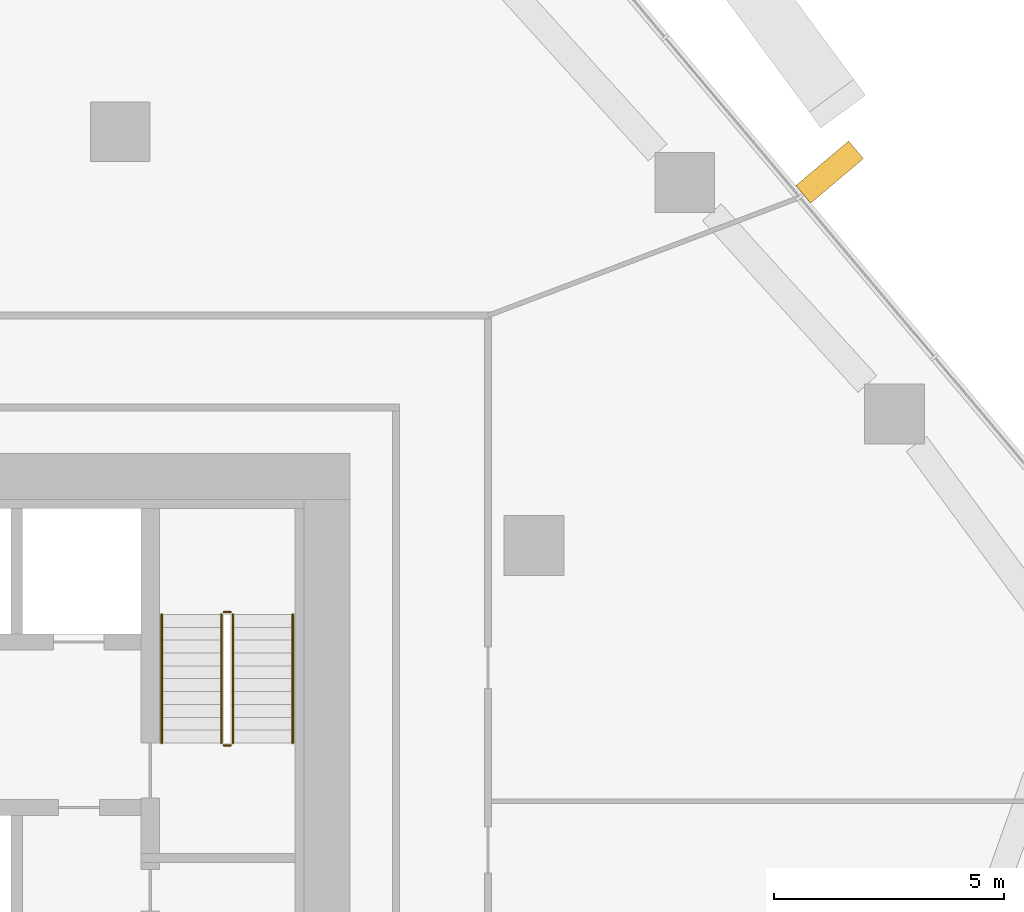
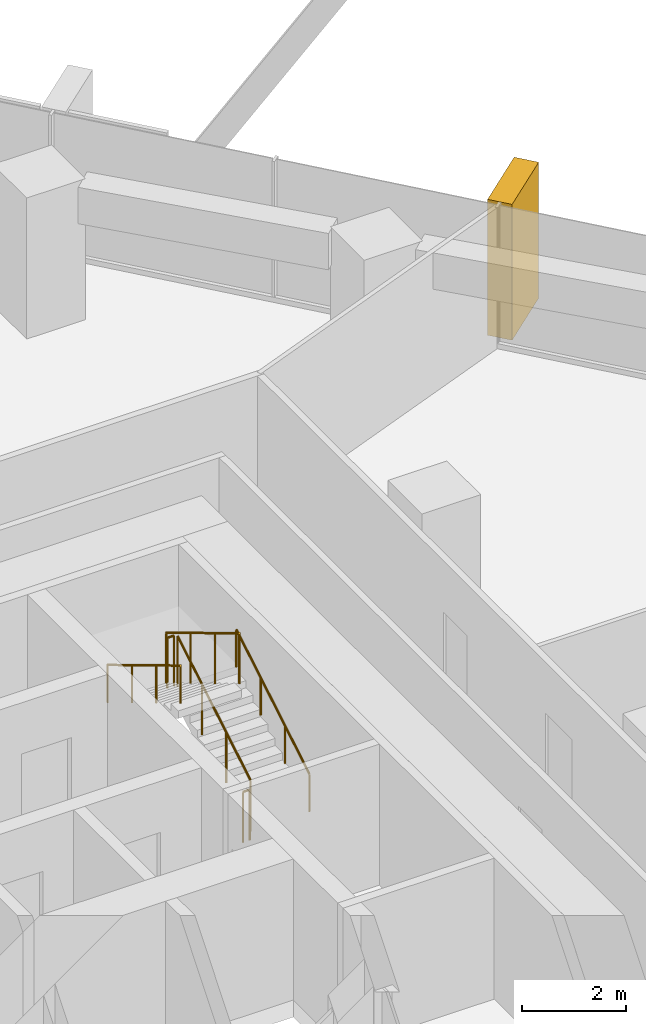
# One storey, part 23 of 24: 6 railings, 1 covering, 1 element without a shape of its own.
"""IFC4 building model written with IfcOpenShell, lengths in metres."""

from ifc_helpers import new_model, si_unit, direction, frame, origin, origin_2d, place, context, subcontext, project, spatial, rectangle, circle, extrude, material, layer, layer_set, material_profile, profile_set, type_object, element, aggregate, save


model = new_model("IFC4")

# Units and contexts
model_context = context("Model", 3, precision=1e-05, world=origin(), true_north=direction((0.0, 1.0)))
body_context = subcontext(model_context, "Body", "Model", "MODEL_VIEW")
ifc_project = project(units=[si_unit("LENGTHUNIT", "METRE"), si_unit("AREAUNIT", "SQUARE_METRE"), si_unit("VOLUMEUNIT", "CUBIC_METRE"), si_unit("PLANEANGLEUNIT", "RADIAN"), si_unit("MASSUNIT", "GRAM", prefix="KILO")], contexts=[model_context])

# Site, building, storey
site_placement = place(None, origin())
site = spatial("IfcSite", under=ifc_project, at=site_placement, CompositionType="ELEMENT")
building_placement = place(site_placement, origin())
building = spatial("IfcBuilding", under=site, at=building_placement, Name="Dongbaek Canopy Tower", CompositionType="ELEMENT")
storey_placement = place(building_placement, frame((0.0, 0.0, 128.5)))
storey = spatial("IfcBuildingStorey", under=building, at=storey_placement, Name="L28", CompositionType="ELEMENT", Elevation=128.5)

# Curtain wall, covering
ifc_material_1 = material(Name="Aluminium 6063-T6 pale anodised", Category="aluminium")
ifc_layer = layer(ifc_material_1, 0.199951171875)
ifc_layer_set = layer_set([ifc_layer], Name="CW-1 unitised tower curtain wall")
curtain_wall_type = type_object("IfcCurtainWallType", Name="CW-1 unitised tower curtain wall", PredefinedType="NOTDEFINED", material=ifc_layer_set)
curtain_wall_placement = place(storey_placement, origin())
curtain_wall = element("IfcCurtainWall", 1, at=curtain_wall_placement, inside=storey, type_object=curtain_wall_type, Name="CW-1 curtain wall F0.1", PredefinedType="NOTDEFINED")
ifc_material_2 = material(Name="Aluminium 6063-T6 pale metal fin", Category="aluminium")
ifc_material_profile = material_profile(ifc_material_2, rectangle(XDim=1.5, YDim=0.5, at=origin_2d()), Name="Fin FN1 500 x 1500 pale metal")
ifc_profile_set = profile_set([ifc_material_profile], Name="Aluminium 6063-T6 pale metal fin")
covering_type = type_object("IfcCoveringType", Name="Fin FN1 500 x 1500 pale metal", PredefinedType="CLADDING", material=ifc_profile_set)
covering_placement = place(storey_placement, frame((24.432861328125, 17.12255859375, 0.1201171875), z_axis=(0.0, 0.0, 1.0), x_axis=(0.764439348936, 0.644695650519, 0.0)))
covering = element("IfcCovering", 2, at=covering_placement, type_object=covering_type, Name="Fin F0.1.3", PredefinedType="CLADDING", context=body_context, shape_type="SweptSolid", body=[
    extrude(rectangle(XDim=1.5, YDim=0.5, at=origin_2d()), origin(), (0.0, 0.0, 1.0), 3.179931640625),
])
aggregate(curtain_wall, [covering])

# Railings
ifc_material_3 = material(Name="Stainless steel tube and balusters", Category="steel")
railing_type_1 = type_object("IfcRailingType", Name="Stair guard 1200", PredefinedType="GUARDRAIL", material=ifc_material_3)
railing_1_placement = place(storey_placement, frame((11.449951171875, 4.699951171875, 0.168212890625)))
element("IfcRailing", 3, at=railing_1_placement, inside=storey, type_object=railing_type_1, Name="L28 ST-A stair guard 1", PredefinedType="GUARDRAIL", context=body_context, shape_type="SweptSolid", body=[
    extrude(circle(Radius=0.02392578125, at=origin_2d()), frame((0.0, 0.0, 1.17578125), z_axis=(0.0, 0.857242210791, 0.514913383045), x_axis=(-1.0, 0.0, 0.0)), (0.0, 0.0, 1.0), 3.266357421875),
    extrude(circle(Radius=0.02099609375, at=origin_2d()), origin(), (0.0, 0.0, 1.0), 1.15185546875),
    extrude(circle(Radius=0.02099609375, at=origin_2d()), frame((0.0, 0.933349609375, 0.560546875)), (0.0, 0.0, 1.0), 1.15185546875),
    extrude(circle(Radius=0.02099609375, at=origin_2d()), frame((0.0, 1.86669921875, 1.121337890625)), (0.0, 0.0, 1.0), 1.15185546875),
    extrude(circle(Radius=0.02099609375, at=origin_2d()), frame((0.0, 2.800048828125, 1.681884765625)), (0.0, 0.0, 1.0), 1.15185546875),
])
railing_2_placement = place(storey_placement, frame((11.39990234375, 7.550048828125, 1.85009765625)))
element("IfcRailing", 4, at=railing_2_placement, inside=storey, type_object=railing_type_1, Name="L28 ST-A stair guard 2", PredefinedType="GUARDRAIL", context=body_context, shape_type="SweptSolid", body=[
    extrude(circle(Radius=0.02392578125, at=origin_2d()), frame((0.0, 0.0, 1.17578125), z_axis=(-1.0, 0.0, 0.0), x_axis=(0.0, -1.0, 0.0)), (0.0, 0.0, 1.0), 0.14990234375),
    extrude(circle(Radius=0.02099609375, at=origin_2d()), origin(), (0.0, 0.0, 1.0), 1.15185546875),
    extrude(circle(Radius=0.02099609375, at=origin_2d()), frame((-0.14990234375, 0.0, 0.0)), (0.0, 0.0, 1.0), 1.15185546875),
])
railing_3_placement = place(storey_placement, frame((11.199951171875, 7.5, 2.01806640625)))
element("IfcRailing", 5, at=railing_3_placement, inside=storey, type_object=railing_type_1, Name="L28 ST-A stair guard 3", PredefinedType="GUARDRAIL", context=body_context, shape_type="SweptSolid", body=[
    extrude(circle(Radius=0.02392578125, at=origin_2d()), frame((0.0, 0.0, 1.17578125), z_axis=(0.0, -0.857242210791, 0.514913383045), x_axis=(1.0, 0.0, 0.0)), (0.0, 0.0, 1.0), 3.266357421875),
    extrude(circle(Radius=0.02099609375, at=origin_2d()), origin(), (0.0, 0.0, 1.0), 1.15185546875),
    extrude(circle(Radius=0.02099609375, at=origin_2d()), frame((0.0, -0.933349609375, 0.560546875)), (0.0, 0.0, 1.0), 1.15185546875),
    extrude(circle(Radius=0.02099609375, at=origin_2d()), frame((0.0, -1.86669921875, 1.121337890625)), (0.0, 0.0, 1.0), 1.15185546875),
    extrude(circle(Radius=0.02099609375, at=origin_2d()), frame((0.0, -2.800048828125, 1.681884765625)), (0.0, 0.0, 1.0), 1.15185546875),
])
railing_4_placement = place(storey_placement, frame((11.39990234375, 4.64990234375, 0.0)))
element("IfcRailing", 6, at=railing_4_placement, inside=storey, type_object=railing_type_1, Name="L28 ST-A stair guard 4", PredefinedType="GUARDRAIL", context=body_context, shape_type="SweptSolid", body=[
    extrude(circle(Radius=0.02392578125, at=origin_2d()), frame((0.0, 0.0, 1.17578125), z_axis=(-1.0, 0.0, 0.0), x_axis=(0.0, -1.0, 0.0)), (0.0, 0.0, 1.0), 0.14990234375),
    extrude(circle(Radius=0.02099609375, at=origin_2d()), origin(), (0.0, 0.0, 1.0), 1.15185546875),
    extrude(circle(Radius=0.02099609375, at=origin_2d()), frame((-0.14990234375, 0.0, 0.0)), (0.0, 0.0, 1.0), 1.15185546875),
])
ifc_material_4 = material(Name="Stainless steel tube", Category="steel")
railing_type_2 = type_object("IfcRailingType", Name="Stair handrail 900", PredefinedType="HANDRAIL", material=ifc_material_4)
railing_5_placement = place(storey_placement, frame((12.75, 4.699951171875, 0.168212890625)))
element("IfcRailing", 7, at=railing_5_placement, inside=storey, type_object=railing_type_2, Name="L28 ST-A stair handrail 1", PredefinedType="HANDRAIL", context=body_context, shape_type="SweptSolid", body=[
    extrude(circle(Radius=0.02392578125, at=origin_2d()), frame((0.0, 0.0, 0.8759765625), z_axis=(0.0, 0.857242210791, 0.514913383045), x_axis=(-1.0, 0.0, 0.0)), (0.0, 0.0, 1.0), 3.266357421875),
    extrude(circle(Radius=0.02099609375, at=origin_2d()), origin(), (0.0, 0.0, 1.0), 0.851806640625),
    extrude(circle(Radius=0.02099609375, at=origin_2d()), frame((0.0, 0.933349609375, 0.560546875)), (0.0, 0.0, 1.0), 0.851806640625),
    extrude(circle(Radius=0.02099609375, at=origin_2d()), frame((0.0, 1.86669921875, 1.121337890625)), (0.0, 0.0, 1.0), 0.851806640625),
    extrude(circle(Radius=0.02099609375, at=origin_2d()), frame((0.0, 2.800048828125, 1.681884765625)), (0.0, 0.0, 1.0), 0.851806640625),
])
railing_6_placement = place(storey_placement, frame((9.89990234375, 7.5, 2.01806640625)))
element("IfcRailing", 8, at=railing_6_placement, inside=storey, type_object=railing_type_2, Name="L28 ST-A stair handrail 2", PredefinedType="HANDRAIL", context=body_context, shape_type="SweptSolid", body=[
    extrude(circle(Radius=0.02392578125, at=origin_2d()), frame((0.0, 0.0, 0.8759765625), z_axis=(0.0, -0.857242210791, 0.514913383045), x_axis=(1.0, 0.0, 0.0)), (0.0, 0.0, 1.0), 3.266357421875),
    extrude(circle(Radius=0.02099609375, at=origin_2d()), origin(), (0.0, 0.0, 1.0), 0.851806640625),
    extrude(circle(Radius=0.02099609375, at=origin_2d()), frame((0.0, -0.933349609375, 0.560546875)), (0.0, 0.0, 1.0), 0.851806640625),
    extrude(circle(Radius=0.02099609375, at=origin_2d()), frame((0.0, -1.86669921875, 1.121337890625)), (0.0, 0.0, 1.0), 0.851806640625),
    extrude(circle(Radius=0.02099609375, at=origin_2d()), frame((0.0, -2.800048828125, 1.681884765625)), (0.0, 0.0, 1.0), 0.851806640625),
])

save(model, "model.ifc")
